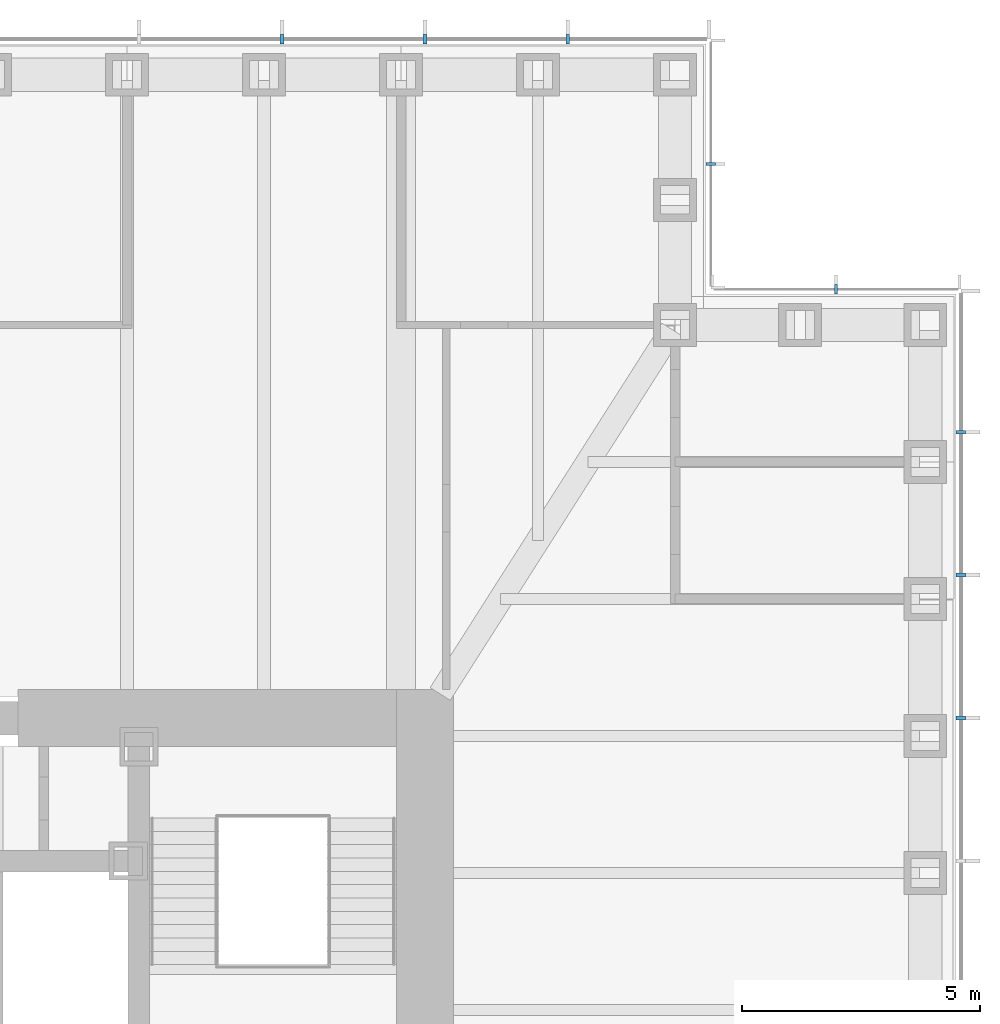
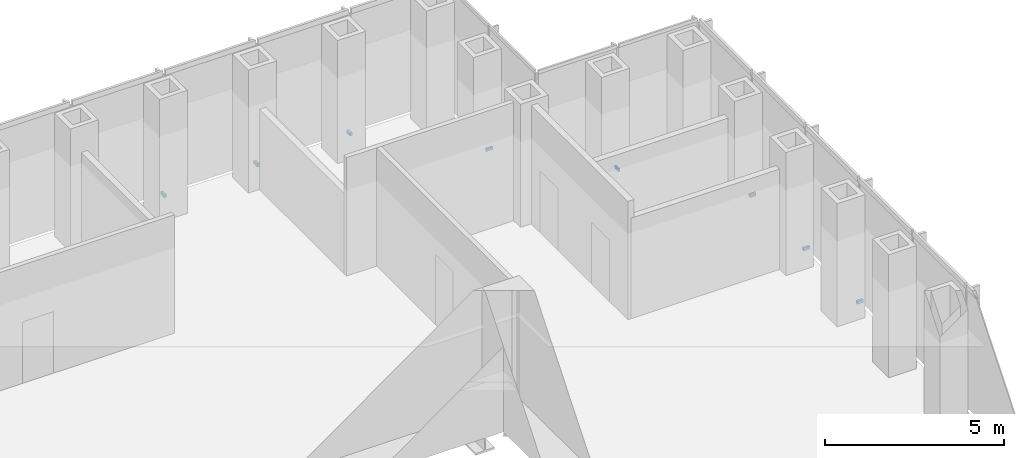
# One storey, part 16 of 17: 8 discrete accessories.
"""IFC4 building model written with IfcOpenShell, lengths in metres."""

from ifc_helpers import new_model, si_unit, direction, frame, origin, origin_2d, place, context, subcontext, project, spatial, rectangle, extrude, element, save


model = new_model("IFC4")

# Units and contexts
model_context = context("Model", 3, precision=1e-05, world=origin(), true_north=direction((0.0, 1.0)))
body_context = subcontext(model_context, "Body", "Model", "MODEL_VIEW")
ifc_project = project(units=[si_unit("LENGTHUNIT", "METRE"), si_unit("AREAUNIT", "SQUARE_METRE"), si_unit("VOLUMEUNIT", "CUBIC_METRE"), si_unit("PLANEANGLEUNIT", "RADIAN"), si_unit("MASSUNIT", "GRAM", prefix="KILO")], contexts=[model_context])

# Site, building, storey
site_placement = place(None, origin())
site = spatial("IfcSite", under=ifc_project, at=site_placement, CompositionType="ELEMENT")
building_placement = place(site_placement, origin())
building = spatial("IfcBuilding", under=site, at=building_placement, Name="Daluyong Arena Tower", CompositionType="ELEMENT")
storey_placement = place(building_placement, frame((0.0, 0.0, 129.10009765625)))
storey = spatial("IfcBuildingStorey", under=building, at=storey_placement, Name="L28", CompositionType="ELEMENT", Elevation=129.10009765625)

# Discrete accessories
for number, where, z_axis, x_axis, name in (
    (1, (79.25, 89.0, -0.10009765625), (0.0, 0.0, 1.0), (0.0, 1.0, 0.0), "curtain wall L28 E anchor bracket 10"),
    (2, (79.25, 92.0, -0.10009765625), (0.0, 0.0, 1.0), (0.0, 1.0, 0.0), "curtain wall L28 E anchor bracket 11"),
    (3, (79.25, 95.0, -0.10009765625), (0.0, 0.0, 1.0), (0.0, 1.0, 0.0), "curtain wall L28 E anchor bracket 12"),
):
    element("IfcDiscreteAccessory", number, at=place(storey_placement, frame(where, z_axis=z_axis, x_axis=x_axis)), inside=storey, Name=name, PredefinedType="BRACKET", context=body_context, shape_type="SweptSolid", body=[
        extrude(rectangle(XDim=0.080078125, YDim=0.199951171875, at=origin_2d()), origin(), (0.0, 0.0, 1.0), 0.10009765625),
    ])
for number, where, z_axis, x_axis, name in (
    (4, (76.625, 98.0, -0.10009765625), (0.0, 0.0, 1.0), (-1.0, 0.0, 0.0), "curtain wall L28 NE-N anchor bracket 2"),
    (5, (74.0, 100.625, -0.10009765625), (0.0, 0.0, 1.0), (0.0, 1.0, 0.0), "curtain wall L28 NE-E anchor bracket 2"),
):
    element("IfcDiscreteAccessory", number, at=place(storey_placement, frame(where, z_axis=z_axis, x_axis=x_axis)), inside=storey, Name=name, PredefinedType="BRACKET", context=body_context, shape_type="SweptSolid", body=[
        extrude(rectangle(XDim=0.06005859375, YDim=0.199951171875, at=origin_2d()), origin(), (0.0, 0.0, 1.0), 0.10009765625),
    ])
for number, where, z_axis, x_axis, name in (
    (6, (71.0, 103.25, -0.10009765625), (0.0, 0.0, 1.0), (-1.0, 0.0, 0.0), "curtain wall L28 N anchor bracket 2"),
    (7, (68.0, 103.25, -0.10009765625), (0.0, 0.0, 1.0), (-1.0, 0.0, 0.0), "curtain wall L28 N anchor bracket 3"),
    (8, (65.0, 103.25, -0.10009765625), (0.0, 0.0, 1.0), (-1.0, 0.0, 0.0), "curtain wall L28 N anchor bracket 4"),
):
    element("IfcDiscreteAccessory", number, at=place(storey_placement, frame(where, z_axis=z_axis, x_axis=x_axis)), inside=storey, Name=name, PredefinedType="BRACKET", context=body_context, shape_type="SweptSolid", body=[
        extrude(rectangle(XDim=0.080078125, YDim=0.199951171875, at=origin_2d()), origin(), (0.0, 0.0, 1.0), 0.10009765625),
    ])

save(model, "model.ifc")
